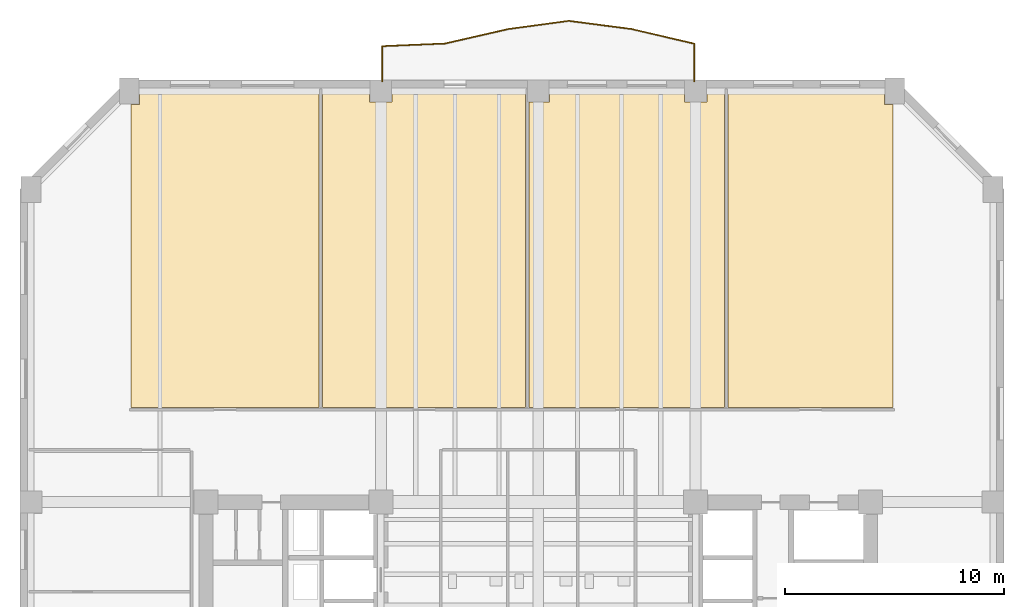
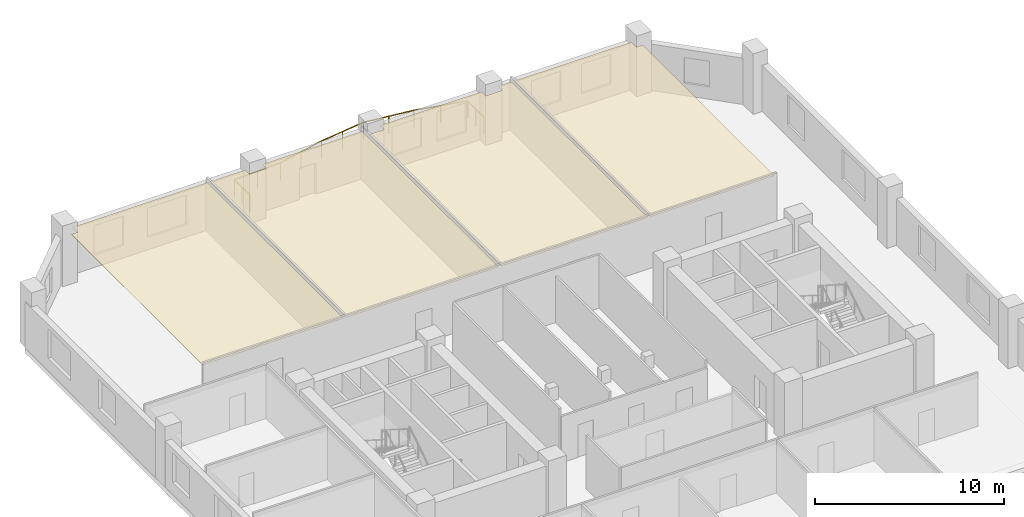
# One storey, part 9 of 10: 4 coverings, 1 railing.
"""IFC4 building model written with IfcOpenShell, lengths in metres."""

from ifc_helpers import new_model, si_unit, direction, frame, origin, origin_2d, place, context, subcontext, project, spatial, polyline, circle, outline, extrude, material, layer, layer_set, type_object, element, save


model = new_model("IFC4")

# Units and contexts
model_context = context("Model", 3, precision=1e-05, world=origin(), true_north=direction((0.0, 1.0)))
body_context = subcontext(model_context, "Body", "Model", "MODEL_VIEW")
ifc_project = project(units=[si_unit("LENGTHUNIT", "METRE"), si_unit("AREAUNIT", "SQUARE_METRE"), si_unit("VOLUMEUNIT", "CUBIC_METRE"), si_unit("PLANEANGLEUNIT", "RADIAN"), si_unit("MASSUNIT", "GRAM", prefix="KILO")], contexts=[model_context])

# Site, building, storey
site_placement = place(None, origin())
site = spatial("IfcSite", under=ifc_project, at=site_placement, CompositionType="ELEMENT")
building_placement = place(site_placement, origin())
building = spatial("IfcBuilding", under=site, at=building_placement, Name="Kranthara Brick Stack", CompositionType="ELEMENT")
storey_placement = place(building_placement, frame((0.0, 0.0, 106.199951171875)))
storey = spatial("IfcBuildingStorey", under=building, at=storey_placement, Name="L26", CompositionType="ELEMENT", Elevation=106.199951171875)

# Coverings
ifc_material_1 = material(Name="Perforated mineral-fibre acoustic ceiling tile", Category="other")
ifc_layer = layer(ifc_material_1, 0.02490234375)
ifc_layer_set = layer_set([ifc_layer], Name="Perforated mineral-fibre acoustic ceiling tile")
covering_type = type_object("IfcCoveringType", Name="COV-CEIL-ACOUSTIC", PredefinedType="CEILING", material=ifc_layer_set)
covering_1_placement = place(storey_placement, frame((0.0, 0.0, 3.179931640625)))
element("IfcCovering", 1, at=covering_1_placement, inside=storey, type_object=covering_type, Name="L26 L26 Meeting Room 1 Acoustic Ceiling", PredefinedType="CEILING", context=body_context, shape_type="SweptSolid", body=[
    extrude(outline(polyline([(17.969970703125, 52.330078125), (17.969970703125, 37.919921875), (9.3798828125, 37.919921875), (9.3798828125, 51.7900390625), (9.760009765625, 51.7900390625), (9.760009765625, 52.330078125), (17.969970703125, 52.330078125)])), origin(), (0.0, 0.0, 1.0), 0.025146484375),
])
covering_2_placement = place(storey_placement, frame((0.0, 0.0, 3.179931640625)))
element("IfcCovering", 2, at=covering_2_placement, inside=storey, type_object=covering_type, Name="L26 L26 Meeting Room 2 Acoustic Ceiling", PredefinedType="CEILING", context=body_context, shape_type="SweptSolid", body=[
    extrude(outline(polyline([(27.419921875, 52.330078125), (27.419921875, 37.919921875), (18.1298828125, 37.919921875), (18.1298828125, 52.330078125), (20.2900390625, 52.330078125), (20.2900390625, 51.889892578125), (21.31005859375, 51.889892578125), (21.31005859375, 52.330078125), (27.419921875, 52.330078125)])), origin(), (0.0, 0.0, 1.0), 0.025146484375),
])
covering_3_placement = place(storey_placement, frame((0.0, 0.0, 3.179931640625)))
element("IfcCovering", 3, at=covering_3_placement, inside=storey, type_object=covering_type, Name="L26 L26 Meeting Room 3 Acoustic Ceiling", PredefinedType="CEILING", context=body_context, shape_type="SweptSolid", body=[
    extrude(outline(polyline([(36.52001953125, 37.919921875), (27.580078125, 37.919921875), (27.580078125, 51.889892578125), (28.510009765625, 51.889892578125), (28.510009765625, 52.330078125), (34.68994140625, 52.330078125), (34.68994140625, 51.889892578125), (35.7099609375, 51.889892578125), (35.7099609375, 52.330078125), (36.52001953125, 52.330078125), (36.52001953125, 37.919921875)])), origin(), (0.0, 0.0, 1.0), 0.025146484375),
])
covering_4_placement = place(storey_placement, frame((0.0, 0.0, 3.179931640625)))
element("IfcCovering", 4, at=covering_4_placement, inside=storey, type_object=covering_type, Name="L26 L26 Boardroom 4 Acoustic Ceiling", PredefinedType="CEILING", context=body_context, shape_type="SweptSolid", body=[
    extrude(outline(polyline([(44.219970703125, 37.919921875), (36.679931640625, 37.919921875), (36.679931640625, 52.330078125), (43.840087890625, 52.330078125), (43.840087890625, 51.7900390625), (44.219970703125, 51.7900390625), (44.219970703125, 37.919921875)])), origin(), (0.0, 0.0, 1.0), 0.025146484375),
])

# Railing
ifc_material_2 = material(Name="Bronze anodised aluminium and laminated glass balustrade", Category="aluminium")
railing_type = type_object("IfcRailingType", Name="RL-BALC-1120", PredefinedType="BALUSTRADE", material=ifc_material_2)
railing_placement = place(storey_placement, frame((20.860107421875, 52.840087890625, 0.0)))
element("IfcRailing", 5, at=railing_placement, inside=storey, type_object=railing_type, Name="L26 North Rippling Balcony Balustrade", PredefinedType="BALUSTRADE", context=body_context, shape_type="SweptSolid", body=[
    extrude(circle(Radius=0.02392578125, at=origin_2d()), frame((0.0, 0.0, 1.09619140625), z_axis=(0.0, 1.0, 0.0), x_axis=(-1.0, 0.0, 0.0)), (0.0, 0.0, 1.0), 1.614013671875),
    extrude(circle(Radius=0.02392578125, at=origin_2d()), frame((0.0, 1.614013671875, 1.09619140625), z_axis=(0.999117146982, 0.042011029578, 0.0), x_axis=(-0.042011029578, 0.999117146982, 0.0)), (0.0, 0.0, 1.0), 2.88232421875),
    extrude(circle(Radius=0.02392578125, at=origin_2d()), frame((2.8798828125, 1.735107421875, 1.09619140625), z_axis=(0.974716908029, 0.223443391496, 0.0), x_axis=(-0.223443391496, 0.974716908029, 0.0)), (0.0, 0.0, 1.0), 2.94677734375),
    extrude(circle(Radius=0.02392578125, at=origin_2d()), frame((5.752197265625, 2.3935546875, 1.09619140625), z_axis=(0.990896727609, 0.134624199959, 0.0), x_axis=(-0.134624199959, 0.990896727609, 0.0)), (0.0, 0.0, 1.0), 2.807373046875),
    extrude(circle(Radius=0.02392578125, at=origin_2d()), frame((8.533935546875, 2.771484375, 1.09619140625), z_axis=(0.991683555418, -0.128700139526, 0.0), x_axis=(0.128700139526, 0.991683555418, 0.0)), (0.0, 0.0, 1.0), 2.890869140625),
    extrude(circle(Radius=0.02392578125, at=origin_2d()), frame((11.40087890625, 2.3994140625, 1.09619140625), z_axis=(0.973740003019, -0.227662923026, 0.0), x_axis=(0.227662923026, 0.973740003019, 0.0)), (0.0, 0.0, 1.0), 2.95654296875),
    extrude(circle(Radius=0.02392578125, at=origin_2d()), frame((14.27978515625, 1.726318359375, 1.09619140625), z_axis=(0.0, -1.0, 0.0), x_axis=(1.0, 0.0, 0.0)), (0.0, 0.0, 1.0), 1.726318359375),
    extrude(circle(Radius=0.02099609375, at=origin_2d()), origin(), (0.0, 0.0, 1.0), 1.072021484375),
    extrude(circle(Radius=0.02099609375, at=origin_2d()), frame((0.0, 0.80712890625, 0.0)), (0.0, 0.0, 1.0), 1.072021484375),
    extrude(circle(Radius=0.02099609375, at=origin_2d()), frame((0.0, 1.614013671875, 0.0)), (0.0, 0.0, 1.0), 1.072021484375),
    extrude(circle(Radius=0.02099609375, at=origin_2d()), frame((1.43994140625, 1.674560546875, 0.0)), (0.0, 0.0, 1.0), 1.072021484375),
    extrude(circle(Radius=0.02099609375, at=origin_2d()), frame((2.8798828125, 1.735107421875, 0.0)), (0.0, 0.0, 1.0), 1.072021484375),
    extrude(circle(Radius=0.02099609375, at=origin_2d()), frame((4.31591796875, 2.064453125, 0.0)), (0.0, 0.0, 1.0), 1.072021484375),
    extrude(circle(Radius=0.02099609375, at=origin_2d()), frame((5.752197265625, 2.3935546875, 0.0)), (0.0, 0.0, 1.0), 1.072021484375),
    extrude(circle(Radius=0.02099609375, at=origin_2d()), frame((7.14306640625, 2.58251953125, 0.0)), (0.0, 0.0, 1.0), 1.072021484375),
    extrude(circle(Radius=0.02099609375, at=origin_2d()), frame((8.533935546875, 2.771484375, 0.0)), (0.0, 0.0, 1.0), 1.072021484375),
    extrude(circle(Radius=0.02099609375, at=origin_2d()), frame((9.96728515625, 2.58544921875, 0.0)), (0.0, 0.0, 1.0), 1.072021484375),
    extrude(circle(Radius=0.02099609375, at=origin_2d()), frame((11.40087890625, 2.3994140625, 0.0)), (0.0, 0.0, 1.0), 1.072021484375),
    extrude(circle(Radius=0.02099609375, at=origin_2d()), frame((12.84033203125, 2.06298828125, 0.0)), (0.0, 0.0, 1.0), 1.072021484375),
    extrude(circle(Radius=0.02099609375, at=origin_2d()), frame((14.27978515625, 1.726318359375, 0.0)), (0.0, 0.0, 1.0), 1.072021484375),
    extrude(circle(Radius=0.02099609375, at=origin_2d()), frame((14.27978515625, 0.86328125, 0.0)), (0.0, 0.0, 1.0), 1.072021484375),
    extrude(circle(Radius=0.02099609375, at=origin_2d()), frame((14.27978515625, 0.0, 0.0)), (0.0, 0.0, 1.0), 1.072021484375),
])

save(model, "model.ifc")
